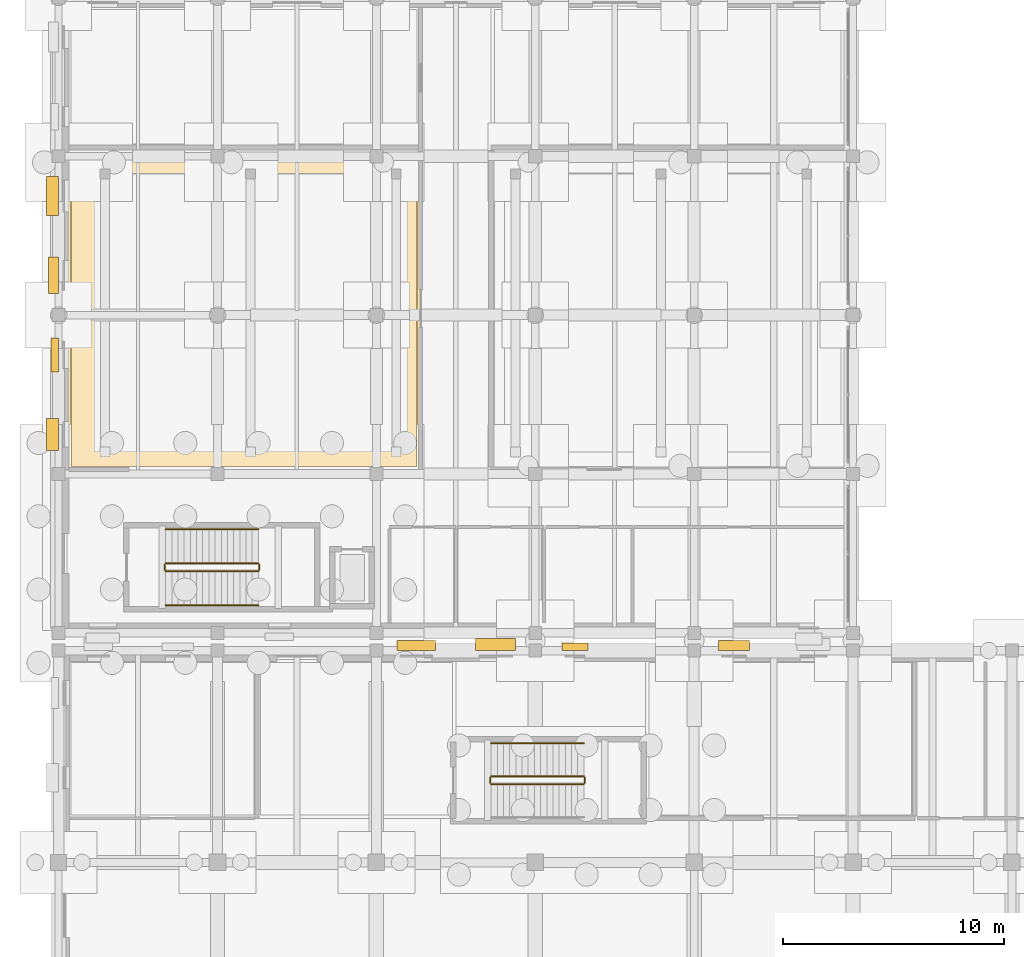
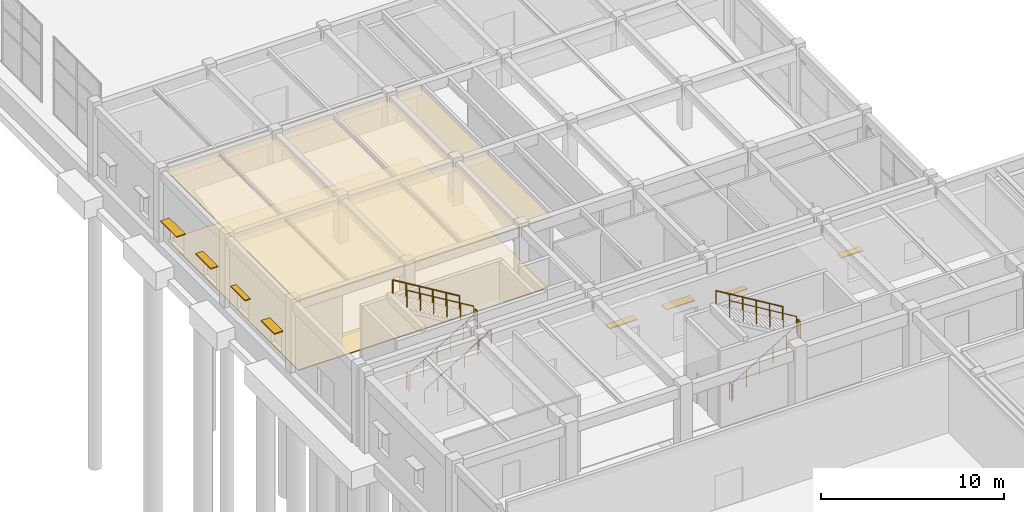
# One storey, part 81 of 91: 11 railings, 8 shading devices, 2 coverings.
"""IFC4 building model written with IfcOpenShell, lengths in metres."""

from ifc_helpers import new_model, si_unit, direction, frame, origin, origin_2d, place, context, subcontext, project, spatial, polyline, rectangle, circle, outline, extrude, material, layer, layer_set, type_object, element, save


model = new_model("IFC4")

# Units and contexts
model_context = context("Model", 3, precision=1e-05, world=origin(), true_north=direction((0.0, 1.0)))
body_context = subcontext(model_context, "Body", "Model", "MODEL_VIEW")
ifc_project = project(units=[si_unit("LENGTHUNIT", "METRE"), si_unit("AREAUNIT", "SQUARE_METRE"), si_unit("VOLUMEUNIT", "CUBIC_METRE"), si_unit("PLANEANGLEUNIT", "RADIAN"), si_unit("MASSUNIT", "GRAM", prefix="KILO")], contexts=[model_context])

# Site, building, storey
site_placement = place(None, origin())
site = spatial("IfcSite", under=ifc_project, at=site_placement, CompositionType="ELEMENT")
building_placement = place(site_placement, origin())
building = spatial("IfcBuilding", under=site, at=building_placement, Name="Bramveld Media Centre", CompositionType="ELEMENT")
storey_placement = place(building_placement, origin())
storey = spatial("IfcBuildingStorey", under=building, at=storey_placement, Name="L00", CompositionType="ELEMENT", Elevation=0.0)

# Coverings
ifc_material_1 = material(Name="Spring-isolated studio acoustic gypsum & mineral-wool ceiling")
ifc_layer_1 = layer(ifc_material_1, 0.06005859375)
ifc_layer_set_1 = layer_set([ifc_layer_1], Name="Spring-isolated studio acoustic gypsum & mineral-wool ceiling")
covering_type_1 = type_object("IfcCoveringType", Name="COV-CEIL-02", PredefinedType="CEILING", material=ifc_layer_set_1)
covering_1_placement = place(storey_placement, frame((0.0, 0.0, 4.72998046875)))
element("IfcCovering", 1, at=covering_1_placement, inside=storey, type_object=covering_type_1, Name="Cinema 3 Repertory Auditorium acoustic suspended ceiling", PredefinedType="CEILING", context=body_context, shape_type="SweptSolid", body=[
    extrude(outline(polyline([(0.39990234375, 46.60009765625), (16.39990234375, 46.60009765625), (16.39990234375, 61.199951171875), (0.39990234375, 61.199951171875), (0.39990234375, 46.60009765625)])), origin(), (0.0, 0.0, 1.0), 0.06005859375),
])
ifc_material_2 = material(Name="Honed Belgian bluestone (petit granit) public concourse flooring", Category="masonry")
ifc_layer_2 = layer(ifc_material_2, 0.050048828125)
ifc_layer_set_2 = layer_set([ifc_layer_2], Name="Honed Belgian bluestone (petit granit) public concourse flooring")
covering_type_2 = type_object("IfcCoveringType", Name="COV-FLOOR-02", PredefinedType="FLOORING", material=ifc_layer_set_2)
covering_2_placement = place(storey_placement, origin())
element("IfcCovering", 2, at=covering_2_placement, inside=storey, type_object=covering_type_2, Name="Cinema 3 Repertory Auditorium finish flooring", PredefinedType="FLOORING", context=body_context, shape_type="SweptSolid", body=[
    extrude(outline(polyline([(0.550048828125, 46.75), (16.25, 46.75), (16.25, 61.050048828125), (0.550048828125, 61.050048828125), (0.550048828125, 46.75)])), origin(), (0.0, 0.0, 1.0), 0.050048828125),
])

# Railings
ifc_material_3 = material(Name="Painted galvanized steel stairwell guardrail", Category="steel")
railing_type_1 = type_object("IfcRailingType", Name="RAIL-STAIR-GUARD-1150", PredefinedType="GUARDRAIL", material=ifc_material_3)
railing_1_placement = place(storey_placement, frame((4.85009765625, 42.0, 0.168701171875)))
element("IfcRailing", 3, at=railing_1_placement, inside=storey, type_object=railing_type_1, Name="L00 ST-04 stair guard 1", PredefinedType="GUARDRAIL", context=body_context, shape_type="SweptSolid", body=[
    extrude(circle(Radius=0.02392578125, at=origin_2d()), frame((0.0, 0.0, 1.1259765625), z_axis=(0.856476492594, 0.0, 0.516186030065), x_axis=(0.0, 1.0, 0.0)), (0.0, 0.0, 1.0), 4.90380859375),
    extrude(circle(Radius=0.02099609375, at=origin_2d()), origin(), (0.0, 0.0, 1.0), 1.101806640625),
    extrude(circle(Radius=0.02099609375, at=origin_2d()), frame((0.840087890625, 0.0, 0.50634765625)), (0.0, 0.0, 1.0), 1.101806640625),
    extrude(circle(Radius=0.02099609375, at=origin_2d()), frame((1.679931640625, 0.0, 1.012451171875)), (0.0, 0.0, 1.0), 1.101806640625),
    extrude(circle(Radius=0.02099609375, at=origin_2d()), frame((2.52001953125, 0.0, 1.518798828125)), (0.0, 0.0, 1.0), 1.101806640625),
    extrude(circle(Radius=0.02099609375, at=origin_2d()), frame((3.35986328125, 0.0, 2.02490234375)), (0.0, 0.0, 1.0), 1.101806640625),
    extrude(circle(Radius=0.02099609375, at=origin_2d()), frame((4.199951171875, 0.0, 2.53125)), (0.0, 0.0, 1.0), 1.101806640625),
])
railing_2_placement = place(storey_placement, frame((9.10009765625, 42.050048828125, 2.699951171875)))
element("IfcRailing", 4, at=railing_2_placement, inside=storey, type_object=railing_type_1, Name="L00 ST-04 stair guard 2", PredefinedType="GUARDRAIL", context=body_context, shape_type="SweptSolid", body=[
    extrude(circle(Radius=0.02392578125, at=origin_2d()), frame((0.0, 0.0, 1.1259765625), z_axis=(0.0, 1.0, 0.0), x_axis=(-1.0, 0.0, 0.0)), (0.0, 0.0, 1.0), 0.25),
    extrude(circle(Radius=0.02099609375, at=origin_2d()), origin(), (0.0, 0.0, 1.0), 1.101806640625),
    extrude(circle(Radius=0.02099609375, at=origin_2d()), frame((0.0, 0.25, 0.0)), (0.0, 0.0, 1.0), 1.101806640625),
])
railing_3_placement = place(storey_placement, frame((9.050048828125, 42.35009765625, 2.86865234375)))
element("IfcRailing", 5, at=railing_3_placement, inside=storey, type_object=railing_type_1, Name="L00 ST-04 stair guard 3", PredefinedType="GUARDRAIL", context=body_context, shape_type="SweptSolid", body=[
    extrude(circle(Radius=0.02392578125, at=origin_2d()), frame((0.0, 0.0, 1.1259765625), z_axis=(-0.856476492594, 0.0, 0.516186030065), x_axis=(0.0, -1.0, 0.0)), (0.0, 0.0, 1.0), 4.90380859375),
    extrude(circle(Radius=0.02099609375, at=origin_2d()), origin(), (0.0, 0.0, 1.0), 1.101806640625),
    extrude(circle(Radius=0.02099609375, at=origin_2d()), frame((-0.840087890625, 0.0, 0.50634765625)), (0.0, 0.0, 1.0), 1.101806640625),
    extrude(circle(Radius=0.02099609375, at=origin_2d()), frame((-1.679931640625, 0.0, 1.012451171875)), (0.0, 0.0, 1.0), 1.101806640625),
    extrude(circle(Radius=0.02099609375, at=origin_2d()), frame((-2.52001953125, 0.0, 1.518798828125)), (0.0, 0.0, 1.0), 1.101806640625),
    extrude(circle(Radius=0.02099609375, at=origin_2d()), frame((-3.35986328125, 0.0, 2.02490234375)), (0.0, 0.0, 1.0), 1.101806640625),
    extrude(circle(Radius=0.02099609375, at=origin_2d()), frame((-4.199951171875, 0.0, 2.53125)), (0.0, 0.0, 1.0), 1.101806640625),
])
railing_4_placement = place(storey_placement, frame((4.800048828125, 42.050048828125, 0.0)))
element("IfcRailing", 6, at=railing_4_placement, inside=storey, type_object=railing_type_1, Name="L00 ST-04 stair guard 4", PredefinedType="GUARDRAIL", context=body_context, shape_type="SweptSolid", body=[
    extrude(circle(Radius=0.02392578125, at=origin_2d()), frame((0.0, 0.0, 1.1259765625), z_axis=(0.0, 1.0, 0.0), x_axis=(-1.0, 0.0, 0.0)), (0.0, 0.0, 1.0), 0.25),
    extrude(circle(Radius=0.02099609375, at=origin_2d()), origin(), (0.0, 0.0, 1.0), 1.101806640625),
    extrude(circle(Radius=0.02099609375, at=origin_2d()), frame((0.0, 0.25, 0.0)), (0.0, 0.0, 1.0), 1.101806640625),
])
railing_5_placement = place(storey_placement, frame((19.60009765625, 32.35009765625, 0.168701171875)))
element("IfcRailing", 7, at=railing_5_placement, inside=storey, type_object=railing_type_1, Name="L00 ST-05 stair guard 1", PredefinedType="GUARDRAIL", context=body_context, shape_type="SweptSolid", body=[
    extrude(circle(Radius=0.02392578125, at=origin_2d()), frame((0.0, 0.0, 1.1259765625), z_axis=(0.856476492594, 0.0, 0.516186030065), x_axis=(0.0, 1.0, 0.0)), (0.0, 0.0, 1.0), 4.90380859375),
    extrude(circle(Radius=0.02099609375, at=origin_2d()), origin(), (0.0, 0.0, 1.0), 1.101806640625),
    extrude(circle(Radius=0.02099609375, at=origin_2d()), frame((0.840087890625, 0.0, 0.50634765625)), (0.0, 0.0, 1.0), 1.101806640625),
    extrude(circle(Radius=0.02099609375, at=origin_2d()), frame((1.679931640625, 0.0, 1.012451171875)), (0.0, 0.0, 1.0), 1.101806640625),
    extrude(circle(Radius=0.02099609375, at=origin_2d()), frame((2.52001953125, 0.0, 1.518798828125)), (0.0, 0.0, 1.0), 1.101806640625),
    extrude(circle(Radius=0.02099609375, at=origin_2d()), frame((3.35986328125, 0.0, 2.02490234375)), (0.0, 0.0, 1.0), 1.101806640625),
    extrude(circle(Radius=0.02099609375, at=origin_2d()), frame((4.199951171875, 0.0, 2.53125)), (0.0, 0.0, 1.0), 1.101806640625),
])
railing_6_placement = place(storey_placement, frame((23.85009765625, 32.39990234375, 2.699951171875)))
element("IfcRailing", 8, at=railing_6_placement, inside=storey, type_object=railing_type_1, Name="L00 ST-05 stair guard 2", PredefinedType="GUARDRAIL", context=body_context, shape_type="SweptSolid", body=[
    extrude(circle(Radius=0.02392578125, at=origin_2d()), frame((0.0, 0.0, 1.1259765625), z_axis=(0.0, 1.0, 0.0), x_axis=(-1.0, 0.0, 0.0)), (0.0, 0.0, 1.0), 0.25),
    extrude(circle(Radius=0.02099609375, at=origin_2d()), origin(), (0.0, 0.0, 1.0), 1.101806640625),
    extrude(circle(Radius=0.02099609375, at=origin_2d()), frame((0.0, 0.25, 0.0)), (0.0, 0.0, 1.0), 1.101806640625),
])
railing_7_placement = place(storey_placement, frame((23.800048828125, 32.699951171875, 2.86865234375)))
element("IfcRailing", 9, at=railing_7_placement, inside=storey, type_object=railing_type_1, Name="L00 ST-05 stair guard 3", PredefinedType="GUARDRAIL", context=body_context, shape_type="SweptSolid", body=[
    extrude(circle(Radius=0.02392578125, at=origin_2d()), frame((0.0, 0.0, 1.1259765625), z_axis=(-0.856476492594, 0.0, 0.516186030065), x_axis=(0.0, -1.0, 0.0)), (0.0, 0.0, 1.0), 4.90380859375),
    extrude(circle(Radius=0.02099609375, at=origin_2d()), origin(), (0.0, 0.0, 1.0), 1.101806640625),
    extrude(circle(Radius=0.02099609375, at=origin_2d()), frame((-0.840087890625, 0.0, 0.50634765625)), (0.0, 0.0, 1.0), 1.101806640625),
    extrude(circle(Radius=0.02099609375, at=origin_2d()), frame((-1.679931640625, 0.0, 1.012451171875)), (0.0, 0.0, 1.0), 1.101806640625),
    extrude(circle(Radius=0.02099609375, at=origin_2d()), frame((-2.52001953125, 0.0, 1.518798828125)), (0.0, 0.0, 1.0), 1.101806640625),
    extrude(circle(Radius=0.02099609375, at=origin_2d()), frame((-3.35986328125, 0.0, 2.02490234375)), (0.0, 0.0, 1.0), 1.101806640625),
    extrude(circle(Radius=0.02099609375, at=origin_2d()), frame((-4.199951171875, 0.0, 2.53125)), (0.0, 0.0, 1.0), 1.101806640625),
])
railing_8_placement = place(storey_placement, frame((19.550048828125, 32.39990234375, 0.0)))
element("IfcRailing", 10, at=railing_8_placement, inside=storey, type_object=railing_type_1, Name="L00 ST-05 stair guard 4", PredefinedType="GUARDRAIL", context=body_context, shape_type="SweptSolid", body=[
    extrude(circle(Radius=0.02392578125, at=origin_2d()), frame((0.0, 0.0, 1.1259765625), z_axis=(0.0, 1.0, 0.0), x_axis=(-1.0, 0.0, 0.0)), (0.0, 0.0, 1.0), 0.25),
    extrude(circle(Radius=0.02099609375, at=origin_2d()), origin(), (0.0, 0.0, 1.0), 1.101806640625),
    extrude(circle(Radius=0.02099609375, at=origin_2d()), frame((0.0, 0.25, 0.0)), (0.0, 0.0, 1.0), 1.101806640625),
])
ifc_material_4 = material(Name="Brushed stainless steel tubular stair handrail", Category="steel")
railing_type_2 = type_object("IfcRailingType", Name="RAIL-STAIR-HAND-0920", PredefinedType="HANDRAIL", material=ifc_material_4)
railing_9_placement = place(storey_placement, frame((4.85009765625, 40.449951171875, 0.168701171875)))
element("IfcRailing", 11, at=railing_9_placement, inside=storey, type_object=railing_type_2, Name="L00 ST-04 stair handrail 1", PredefinedType="HANDRAIL", context=body_context, shape_type="SweptSolid", body=[
    extrude(circle(Radius=0.02392578125, at=origin_2d()), frame((0.0, 0.0, 0.8759765625), z_axis=(0.856476492594, 0.0, 0.516186030065), x_axis=(0.0, 1.0, 0.0)), (0.0, 0.0, 1.0), 4.90380859375),
    extrude(circle(Radius=0.02099609375, at=origin_2d()), origin(), (0.0, 0.0, 1.0), 0.851806640625),
    extrude(circle(Radius=0.02099609375, at=origin_2d()), frame((0.840087890625, 0.0, 0.50634765625)), (0.0, 0.0, 1.0), 0.851806640625),
    extrude(circle(Radius=0.02099609375, at=origin_2d()), frame((1.679931640625, 0.0, 1.012451171875)), (0.0, 0.0, 1.0), 0.851806640625),
    extrude(circle(Radius=0.02099609375, at=origin_2d()), frame((2.52001953125, 0.0, 1.518798828125)), (0.0, 0.0, 1.0), 0.851806640625),
    extrude(circle(Radius=0.02099609375, at=origin_2d()), frame((3.35986328125, 0.0, 2.02490234375)), (0.0, 0.0, 1.0), 0.851806640625),
    extrude(circle(Radius=0.02099609375, at=origin_2d()), frame((4.199951171875, 0.0, 2.53125)), (0.0, 0.0, 1.0), 0.851806640625),
])
for number, where, name in (
    (12, (9.050048828125, 43.89990234375, 2.86865234375), "L00 ST-04 stair handrail 2"),
    (13, (23.800048828125, 34.199951171875, 2.86865234375), "L00 ST-05 stair handrail 2"),
):
    element("IfcRailing", number, at=place(storey_placement, frame(where)), inside=storey, type_object=railing_type_2, Name=name, PredefinedType="HANDRAIL", context=body_context, shape_type="SweptSolid", body=[
        extrude(circle(Radius=0.02392578125, at=origin_2d()), frame((0.0, 0.0, 0.8759765625), z_axis=(-0.856476492594, 0.0, 0.516186030065), x_axis=(0.0, -1.0, 0.0)), (0.0, 0.0, 1.0), 4.90380859375),
        extrude(circle(Radius=0.02099609375, at=origin_2d()), origin(), (0.0, 0.0, 1.0), 0.851806640625),
        extrude(circle(Radius=0.02099609375, at=origin_2d()), frame((-0.840087890625, 0.0, 0.50634765625)), (0.0, 0.0, 1.0), 0.851806640625),
        extrude(circle(Radius=0.02099609375, at=origin_2d()), frame((-1.679931640625, 0.0, 1.012451171875)), (0.0, 0.0, 1.0), 0.851806640625),
        extrude(circle(Radius=0.02099609375, at=origin_2d()), frame((-2.52001953125, 0.0, 1.518798828125)), (0.0, 0.0, 1.0), 0.851806640625),
        extrude(circle(Radius=0.02099609375, at=origin_2d()), frame((-3.35986328125, 0.0, 2.02490234375)), (0.0, 0.0, 1.0), 0.851806640625),
        extrude(circle(Radius=0.02099609375, at=origin_2d()), frame((-4.199951171875, 0.0, 2.53125)), (0.0, 0.0, 1.0), 0.851806640625),
    ])

# Shading devices
ifc_material_5 = material(Name="Anodized bronze extruded aluminium solar shading fin", Category="aluminium")
shading_device_type_1 = type_object("IfcShadingDeviceType", Name="SHD-BRISE-350", PredefinedType="JALOUSIE", material=ifc_material_5)
shading_device_1_placement = place(storey_placement, frame((23.39990234375, 38.574951171875, 2.260009765625), z_axis=(0.0, 0.0, 1.0), x_axis=(1.0, 0.0, 0.0)))
element("IfcShadingDevice", 14, at=shading_device_1_placement, inside=storey, type_object=shading_device_type_1, Name="Bronze solar shading fin 54", PredefinedType="JALOUSIE", context=body_context, shape_type="SweptSolid", body=[
    extrude(rectangle(XDim=1.199951171875, YDim=0.35009765625, at=origin_2d()), origin(), (0.0, 0.0, 1.0), 0.06005859375),
])
shading_device_2_placement = place(storey_placement, frame((-0.175048828125, 51.800048828125, 2.35986328125), z_axis=(0.0, 0.0, 1.0), x_axis=(1.0, 0.0, 0.0)))
element("IfcShadingDevice", 15, at=shading_device_2_placement, inside=storey, type_object=shading_device_type_1, Name="Bronze solar shading fin 105", PredefinedType="JALOUSIE", context=body_context, shape_type="SweptSolid", body=[
    extrude(rectangle(XDim=0.35009765625, YDim=1.550048828125, at=origin_2d()), origin(), (0.0, 0.0, 1.0), 0.06005859375),
])
ifc_material_6 = material(Name="Anodized bronze extruded aluminium solar shading fin", Category="aluminium")
shading_device_type_2 = type_object("IfcShadingDeviceType", Name="SHD-BRISE-450", PredefinedType="JALOUSIE", material=ifc_material_6)
shading_device_3_placement = place(storey_placement, frame((16.199951171875, 38.625, 2.659912109375), z_axis=(0.0, 0.0, 1.0), x_axis=(1.0, 0.0, 0.0)))
element("IfcShadingDevice", 16, at=shading_device_3_placement, inside=storey, type_object=shading_device_type_2, Name="Bronze solar shading fin 52", PredefinedType="JALOUSIE", context=body_context, shape_type="SweptSolid", body=[
    extrude(rectangle(XDim=1.739990234375, YDim=0.449951171875, at=origin_2d()), origin(), (0.0, 0.0, 1.0), 0.06005859375),
])
shading_device_4_placement = place(storey_placement, frame((30.60009765625, 38.625, 2.260009765625), z_axis=(0.0, 0.0, 1.0), x_axis=(1.0, 0.0, 0.0)))
element("IfcShadingDevice", 17, at=shading_device_4_placement, inside=storey, type_object=shading_device_type_2, Name="Bronze solar shading fin 55", PredefinedType="JALOUSIE", context=body_context, shape_type="SweptSolid", body=[
    extrude(rectangle(XDim=1.39990234375, YDim=0.449951171875, at=origin_2d()), origin(), (0.0, 0.0, 1.0), 0.06005859375),
])
shading_device_5_placement = place(storey_placement, frame((-0.22509765625, 55.39990234375, 2.35986328125), z_axis=(0.0, 0.0, 1.0), x_axis=(1.0, 0.0, 0.0)))
element("IfcShadingDevice", 18, at=shading_device_5_placement, inside=storey, type_object=shading_device_type_2, Name="Bronze solar shading fin 106", PredefinedType="JALOUSIE", context=body_context, shape_type="SweptSolid", body=[
    extrude(rectangle(XDim=0.449951171875, YDim=1.64990234375, at=origin_2d()), origin(), (0.0, 0.0, 1.0), 0.06005859375),
])
ifc_material_7 = material(Name="Anodized bronze extruded aluminium solar shading fin", Category="aluminium")
shading_device_type_3 = type_object("IfcShadingDeviceType", Name="SHD-BRISE-550", PredefinedType="JALOUSIE", material=ifc_material_7)
shading_device_6_placement = place(storey_placement, frame((19.800048828125, 38.675048828125, 2.659912109375), z_axis=(0.0, 0.0, 1.0), x_axis=(1.0, 0.0, 0.0)))
element("IfcShadingDevice", 19, at=shading_device_6_placement, inside=storey, type_object=shading_device_type_3, Name="Bronze solar shading fin 53", PredefinedType="JALOUSIE", context=body_context, shape_type="SweptSolid", body=[
    extrude(rectangle(XDim=1.800048828125, YDim=0.550048828125, at=origin_2d()), origin(), (0.0, 0.0, 1.0), 0.06005859375),
])
shading_device_7_placement = place(storey_placement, frame((-0.27490234375, 48.199951171875, 2.35986328125), z_axis=(0.0, 0.0, 1.0), x_axis=(1.0, 0.0, 0.0)))
element("IfcShadingDevice", 20, at=shading_device_7_placement, inside=storey, type_object=shading_device_type_3, Name="Bronze solar shading fin 104", PredefinedType="JALOUSIE", context=body_context, shape_type="SweptSolid", body=[
    extrude(rectangle(XDim=0.550048828125, YDim=1.449951171875, at=origin_2d()), origin(), (0.0, 0.0, 1.0), 0.06005859375),
])
shading_device_8_placement = place(storey_placement, frame((-0.27490234375, 59.0, 2.35986328125), z_axis=(0.0, 0.0, 1.0), x_axis=(1.0, 0.0, 0.0)))
element("IfcShadingDevice", 21, at=shading_device_8_placement, inside=storey, type_object=shading_device_type_3, Name="Bronze solar shading fin 107", PredefinedType="JALOUSIE", context=body_context, shape_type="SweptSolid", body=[
    extrude(rectangle(XDim=0.550048828125, YDim=1.75, at=origin_2d()), origin(), (0.0, 0.0, 1.0), 0.06005859375),
])

save(model, "model.ifc")
